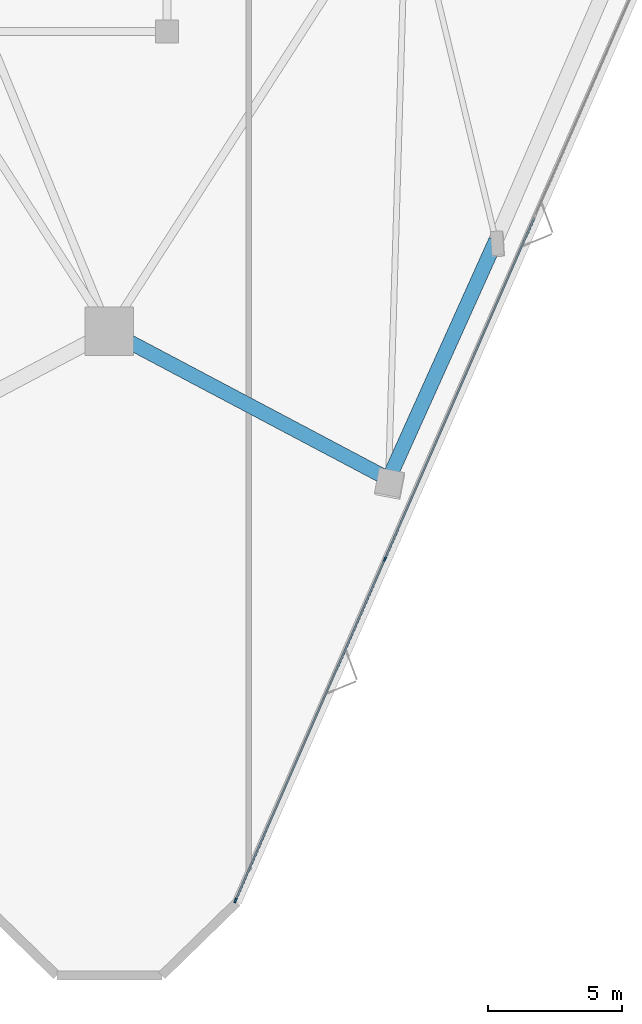
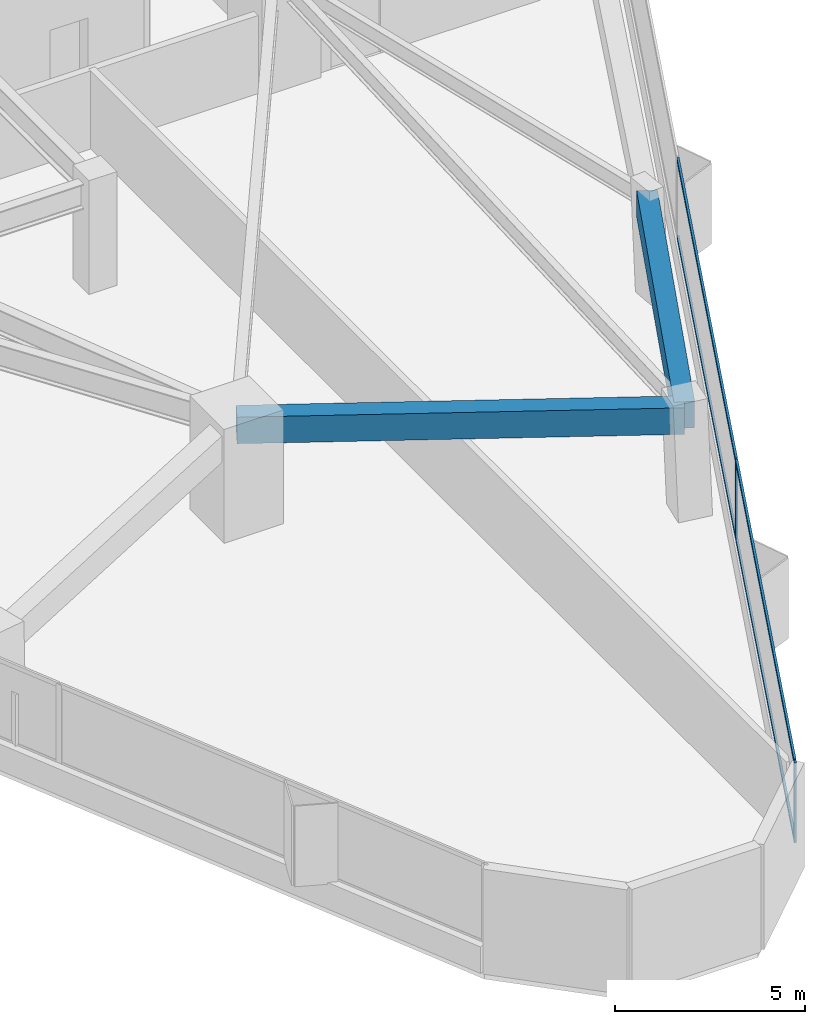
# One storey, part 4 of 21: 6 members, 2 beams, 1 element without a shape of its own.
"""IFC4 building model written with IfcOpenShell, lengths in metres."""

from ifc_helpers import new_model, si_unit, direction, frame, origin, origin_2d, place, context, subcontext, project, spatial, rectangle, extrude, material, layer, layer_set, material_profile, profile_set, type_object, element, aggregate, save


model = new_model("IFC4")

# Units and contexts
model_context = context("Model", 3, precision=1e-05, world=origin(), true_north=direction((0.0, 1.0)))
body_context = subcontext(model_context, "Body", "Model", "MODEL_VIEW")
ifc_project = project(units=[si_unit("LENGTHUNIT", "METRE"), si_unit("AREAUNIT", "SQUARE_METRE"), si_unit("VOLUMEUNIT", "CUBIC_METRE"), si_unit("PLANEANGLEUNIT", "RADIAN"), si_unit("MASSUNIT", "GRAM", prefix="KILO")], contexts=[model_context])

# Site, building, storey
site_placement = place(None, origin())
site = spatial("IfcSite", under=ifc_project, at=site_placement, CompositionType="ELEMENT")
building_placement = place(site_placement, origin())
building = spatial("IfcBuilding", under=site, at=building_placement, Name="Talyreon Biosciences Tower", CompositionType="ELEMENT")
storey_placement = place(building_placement, frame((0.0, 0.0, 55.64990234375)))
storey = spatial("IfcBuildingStorey", under=building, at=storey_placement, Name="L14", CompositionType="ELEMENT", Elevation=55.64990234375)

# Curtain wall, members
ifc_material_1 = material(Name="Thermally broken aluminium and low-E glazing", Category="aluminium")
ifc_layer = layer(ifc_material_1, 0.195068359375)
ifc_layer_set = layer_set([ifc_layer], Name="Thermally broken aluminium and low-E glazing")
curtain_wall_type = type_object("IfcCurtainWallType", Name="CurtainWall_Zone1WetLab", PredefinedType="NOTDEFINED", material=ifc_layer_set)
curtain_wall_placement = place(storey_placement, origin())
curtain_wall = element("IfcCurtainWall", 1, at=curtain_wall_placement, inside=storey, type_object=curtain_wall_type, Name="L14 Unitised Curtain Wall FCW-L14-08", PredefinedType="NOTDEFINED")
ifc_material_2 = material(Name="Anodised thermally broken aluminium", Category="aluminium")
ifc_material_profile_1 = material_profile(ifc_material_2, rectangle(XDim=0.06494140625, YDim=0.179931640625, at=origin_2d()), Name="ALUM MULLION 65x180")
ifc_profile_set_1 = profile_set([ifc_material_profile_1], Name="Anodised thermally broken aluminium")
member_type_1 = type_object("IfcMemberType", Name="CWMullion_65x180", PredefinedType="MULLION", material=ifc_profile_set_1)
member_1_placement = place(storey_placement, frame((76.2734375, 33.17822265625, 0.81005859375), z_axis=(0.0, 0.0, 1.0), x_axis=(0.916092182361, -0.400967721165, 0.0)))
member_1 = element("IfcMember", 2, at=member_1_placement, type_object=member_type_1, Name="CW2 mullion 5", PredefinedType="MULLION", context=body_context, shape_type="SweptSolid", body=[
    extrude(rectangle(XDim=0.06494140625, YDim=0.179931640625, at=origin_2d()), origin(), (0.0, 0.0, 1.0), 2.56494140625),
])
member_2_placement = place(storey_placement, frame((70.703369140625, 20.452392578125, 0.81005859375), z_axis=(0.0, 0.0, 1.0), x_axis=(0.916092182361, -0.400967721165, 0.0)))
member_2 = element("IfcMember", 3, at=member_2_placement, type_object=member_type_1, Name="CW2 mullion 6", PredefinedType="MULLION", context=body_context, shape_type="SweptSolid", body=[
    extrude(rectangle(XDim=0.06494140625, YDim=0.179931640625, at=origin_2d()), origin(), (0.0, 0.0, 1.0), 2.56494140625),
])
ifc_material_profile_2 = material_profile(ifc_material_2, rectangle(XDim=0.06494140625, YDim=0.139892578125, at=origin_2d()), Name="ALUM TRANSOM 65x140")
ifc_profile_set_2 = profile_set([ifc_material_profile_2], Name="Anodised thermally broken aluminium")
member_type_2 = type_object("IfcMemberType", Name="CWTransom_65x140", PredefinedType="USERDEFINED", material=ifc_profile_set_2)
member_3_placement = place(storey_placement, frame((81.843505859375, 45.904052734375, 0.842529296875), z_axis=(-0.400962068949, -0.916094656279, 0.0), x_axis=(0.916094656279, -0.400962068949, 0.0)))
member_3 = element("IfcMember", 4, at=member_3_placement, type_object=member_type_2, Name="CW2 transom 4.1", ObjectType="TRANSOM", PredefinedType="USERDEFINED", context=body_context, shape_type="SweptSolid", body=[
    extrude(rectangle(XDim=0.06494140625, YDim=0.139892578125, at=origin_2d()), origin(), (0.0, 0.0, 1.0), 13.85888671875),
])
member_4_placement = place(storey_placement, frame((81.843505859375, 45.904052734375, 3.342529296875), z_axis=(-0.400962068949, -0.916094656279, 0.0), x_axis=(0.916094656279, -0.400962068949, 0.0)))
member_4 = element("IfcMember", 5, at=member_4_placement, type_object=member_type_2, Name="CW2 transom 4.2", ObjectType="TRANSOM", PredefinedType="USERDEFINED", context=body_context, shape_type="SweptSolid", body=[
    extrude(rectangle(XDim=0.06494140625, YDim=0.139892578125, at=origin_2d()), origin(), (0.0, 0.0, 1.0), 13.85888671875),
])
member_5_placement = place(storey_placement, frame((76.260498046875, 33.1484375, 0.842529296875), z_axis=(-0.400961476813, -0.916094915449, 0.0), x_axis=(0.916094915449, -0.400961476813, 0.0)))
member_5 = element("IfcMember", 6, at=member_5_placement, type_object=member_type_2, Name="CW2 transom 5.1", ObjectType="TRANSOM", PredefinedType="USERDEFINED", context=body_context, shape_type="SweptSolid", body=[
    extrude(rectangle(XDim=0.06494140625, YDim=0.139892578125, at=origin_2d()), origin(), (0.0, 0.0, 1.0), 13.82666015625),
])
member_6_placement = place(storey_placement, frame((76.260498046875, 33.1484375, 3.342529296875), z_axis=(-0.400961476813, -0.916094915449, 0.0), x_axis=(0.916094915449, -0.400961476813, 0.0)))
member_6 = element("IfcMember", 7, at=member_6_placement, type_object=member_type_2, Name="CW2 transom 5.2", ObjectType="TRANSOM", PredefinedType="USERDEFINED", context=body_context, shape_type="SweptSolid", body=[
    extrude(rectangle(XDim=0.06494140625, YDim=0.139892578125, at=origin_2d()), origin(), (0.0, 0.0, 1.0), 13.82666015625),
])
aggregate(curtain_wall, [member_1, member_2, member_3, member_4, member_5, member_6])

# Beams
ifc_material_3 = material(Name="Precast concrete C45/55", Category="concrete")
ifc_material_profile_3 = material_profile(ifc_material_3, rectangle(XDim=0.550048828125, YDim=0.85009765625, at=origin_2d()), Name="RCB 550x850")
ifc_profile_set_3 = profile_set([ifc_material_profile_3], Name="Precast concrete C45/55")
beam_type = type_object("IfcBeamType", Name="ExpressedSpandrel_550x850", PredefinedType="SPANDREL", material=ifc_profile_set_3)
beam_1_placement = place(storey_placement, frame((66.0, 41.6669921875, 2.9501953125), z_axis=(0.883878660648, -0.467716274307, 0.0), x_axis=(0.467716274307, 0.883878660648, 0.0)))
element("IfcBeam", 8, at=beam_1_placement, inside=storey, type_object=beam_type, Name="L14 Expressed Horizontal Concrete Spandrel 01", PredefinedType="SPANDREL", context=body_context, shape_type="SweptSolid", body=[
    extrude(rectangle(XDim=0.550048828125, YDim=0.85009765625, at=origin_2d()), origin(), (0.0, 0.0, 1.0), 11.777587890625),
])
beam_2_placement = place(storey_placement, frame((76.409912109375, 36.158447265625, 2.9501953125), z_axis=(0.410352179608, 0.911927129046, 0.0), x_axis=(-0.911927129046, 0.410352179608, 0.0)))
element("IfcBeam", 9, at=beam_2_placement, inside=storey, type_object=beam_type, Name="L14 Expressed Horizontal Concrete Spandrel 02", PredefinedType="SPANDREL", context=body_context, shape_type="SweptSolid", body=[
    extrude(rectangle(XDim=0.550048828125, YDim=0.85009765625, at=origin_2d()), origin(), (0.0, 0.0, 1.0), 9.7470703125),
])

save(model, "model.ifc")
